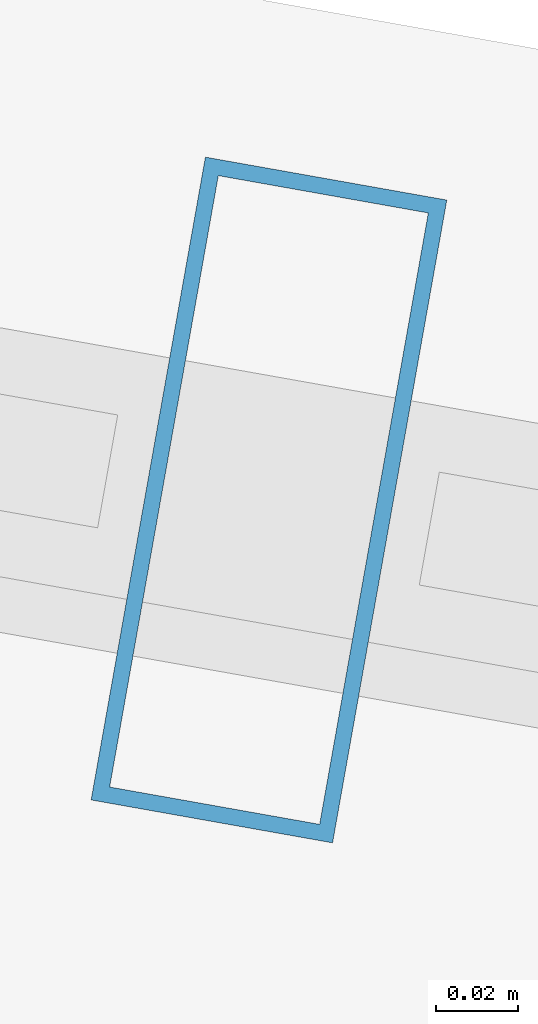
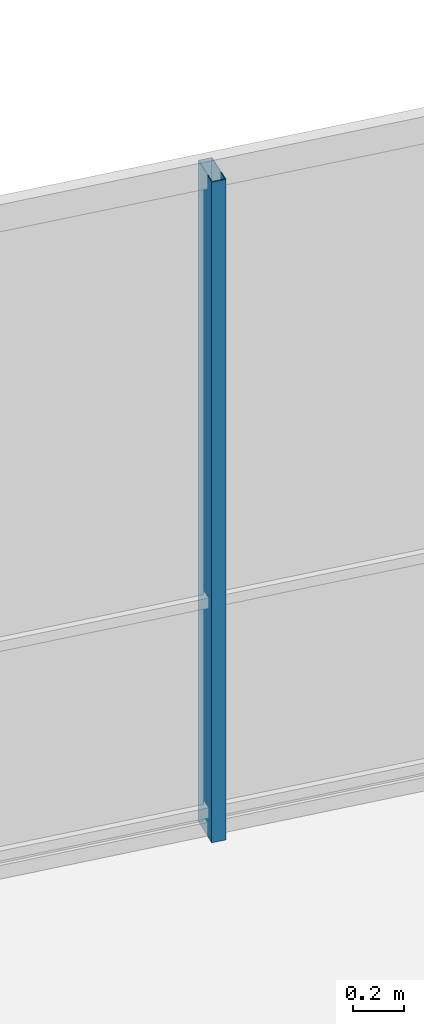
# One storey, part 21 of 33: 1 member, 1 element without a shape of its own.
"""IFC4 building model written with IfcOpenShell, lengths in metres."""

from ifc_helpers import new_model, si_unit, direction, frame, origin, origin_2d, place, context, subcontext, project, spatial, hollow_rectangle, extrude, material, layer, layer_set, material_profile, profile_set, type_object, element, aggregate, save


model = new_model("IFC4")

# Units and contexts
model_context = context("Model", 3, precision=1e-05, world=origin(), true_north=direction((0.0, 1.0)))
body_context = subcontext(model_context, "Body", "Model", "MODEL_VIEW")
ifc_project = project(units=[si_unit("LENGTHUNIT", "METRE"), si_unit("AREAUNIT", "SQUARE_METRE"), si_unit("VOLUMEUNIT", "CUBIC_METRE"), si_unit("PLANEANGLEUNIT", "RADIAN"), si_unit("MASSUNIT", "GRAM", prefix="KILO")], contexts=[model_context])

# Site, building, storey
site_placement = place(None, origin())
site = spatial("IfcSite", under=ifc_project, at=site_placement, CompositionType="ELEMENT")
building_placement = place(site_placement, origin())
building = spatial("IfcBuilding", under=site, at=building_placement, Name="Qarnah Convention Tower", CompositionType="ELEMENT")
storey_placement = place(building_placement, frame((0.0, 0.0, 30.449951171875)))
storey = spatial("IfcBuildingStorey", under=building, at=storey_placement, Name="L06", CompositionType="ELEMENT", Elevation=30.449951171875)

# Curtain wall, member
ifc_material_1 = material(Name="Tempered Low-E dark glass", Category="glass")
ifc_layer = layer(ifc_material_1, 0.16796875)
ifc_layer_set = layer_set([ifc_layer], Name="Tempered Low-E dark glass")
curtain_wall_type = type_object("IfcCurtainWallType", Name="CWS-01", PredefinedType="NOTDEFINED", material=ifc_layer_set)
curtain_wall_placement = place(storey_placement, origin())
curtain_wall = element("IfcCurtainWall", 1, at=curtain_wall_placement, inside=storey, type_object=curtain_wall_type, Name="L06 unitised curtain wall CW-L06-F1", PredefinedType="NOTDEFINED")
ifc_material_2 = material(Name="Black anodised aluminium", Category="aluminium")
ifc_material_profile = material_profile(ifc_material_2, hollow_rectangle(XDim=0.06005859375, YDim=0.159912109375, WallThickness=0.00390625, at=origin_2d()), Name="MUL-60X160")
ifc_profile_set = profile_set([ifc_material_profile], Name="Black anodised aluminium")
member_type = type_object("IfcMemberType", Name="MUL-T1", PredefinedType="MULLION", material=ifc_profile_set)
member_placement = place(storey_placement, frame((31.2705078125, 46.754638671875, 0.0), z_axis=(0.0, 0.0, 1.0), x_axis=(0.984566891232, -0.175008676041, 0.0)))
member = element("IfcMember", 2, at=member_placement, type_object=member_type, Name="CW-L06-F1 mullion 2", PredefinedType="MULLION", context=body_context, shape_type="SweptSolid", body=[
    extrude(hollow_rectangle(XDim=0.06005859375, YDim=0.159912109375, WallThickness=0.00390625, at=origin_2d()), origin(), (0.0, 0.0, 1.0), 3.170166015625),
])
aggregate(curtain_wall, [member])

save(model, "model.ifc")
